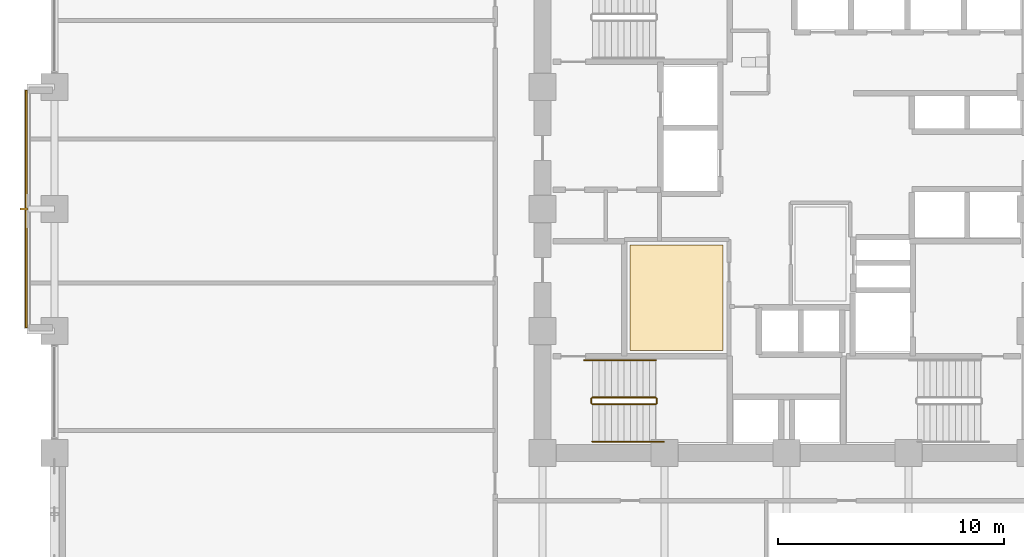
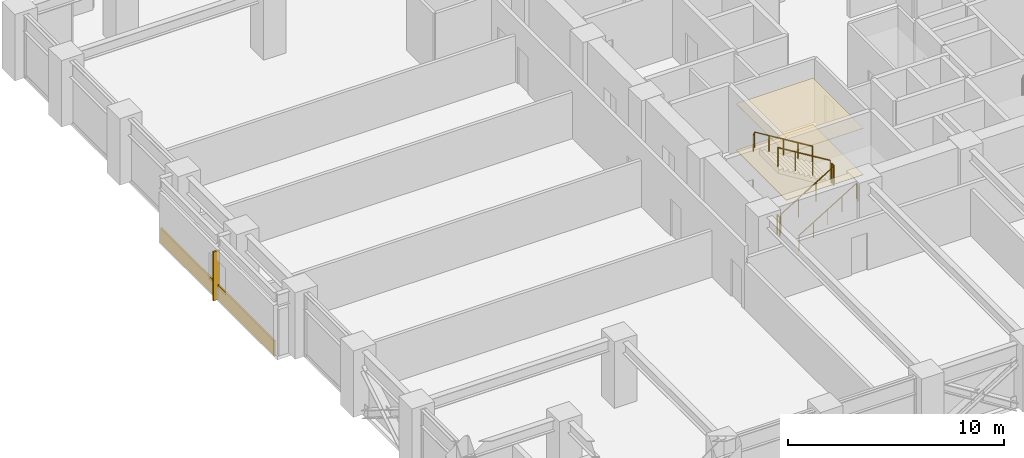
# One storey, part 24 of 27: 6 railings, 3 coverings, 1 shading device.
"""IFC4 building model written with IfcOpenShell, lengths in metres."""

from ifc_helpers import new_model, si_unit, direction, frame, origin, origin_2d, place, context, subcontext, project, spatial, polyline, rectangle, circle, outline, extrude, material, layer, layer_set, type_object, element, save


model = new_model("IFC4")

# Units and contexts
model_context = context("Model", 3, precision=1e-05, world=origin(), true_north=direction((0.0, 1.0)))
body_context = subcontext(model_context, "Body", "Model", "MODEL_VIEW")
ifc_project = project(units=[si_unit("LENGTHUNIT", "METRE"), si_unit("AREAUNIT", "SQUARE_METRE"), si_unit("VOLUMEUNIT", "CUBIC_METRE"), si_unit("PLANEANGLEUNIT", "RADIAN"), si_unit("MASSUNIT", "GRAM", prefix="KILO")], contexts=[model_context])

# Site, building, storey
site_placement = place(None, origin())
site = spatial("IfcSite", under=ifc_project, at=site_placement, CompositionType="ELEMENT")
building_placement = place(site_placement, origin())
building = spatial("IfcBuilding", under=site, at=building_placement, Name="Surkhivell Harbour Commons", CompositionType="ELEMENT")
storey_placement = place(building_placement, frame((0.0, 0.0, 56.25)))
storey = spatial("IfcBuildingStorey", under=building, at=storey_placement, Name="L14", CompositionType="ELEMENT", Elevation=56.25)

# Coverings
ifc_material_1 = material(Name="Moisture-resistant gypsum acoustic ceiling board", Category="other")
ifc_layer_1 = layer(ifc_material_1, 0.030029296875)
ifc_layer_set_1 = layer_set([ifc_layer_1], Name="Moisture-resistant gypsum acoustic ceiling board")
covering_type_1 = type_object("IfcCoveringType", Name="COV-CEIL-GYP", PredefinedType="CEILING", material=ifc_layer_set_1)
covering_1_placement = place(storey_placement, frame((0.0, 0.0, 2.613037109375)))
element("IfcCovering", 1, at=covering_1_placement, inside=storey, type_object=covering_type_1, Name="L14 Suspended Acoustic Ceiling 2", PredefinedType="CEILING", context=body_context, shape_type="SweptSolid", body=[
    extrude(outline(polyline([(-6.929931640625, -6.260009765625), (-2.820068359375, -6.260009765625), (-2.820068359375, -1.60009765625), (-6.929931640625, -1.60009765625), (-6.929931640625, -6.260009765625)])), origin(), (0.0, 0.0, 1.0), 0.030029296875),
])
ifc_material_2 = material(Name="Saffron-gold enamelled aluminium cassette panel", Category="aluminium")
ifc_layer_2 = layer(ifc_material_2, 0.070068359375)
ifc_layer_set_2 = layer_set([ifc_layer_2], Name="Saffron-gold enamelled aluminium cassette panel")
covering_type_2 = type_object("IfcCoveringType", Name="COV-CLAD-SAF", PredefinedType="CLADDING", material=ifc_layer_set_2)
covering_2_placement = place(storey_placement, frame((-33.639892578125, 0.0, 0.0), z_axis=(0.0, 0.0, 1.0), x_axis=(1.0, 0.0, 0.0)))
element("IfcCovering", 2, at=covering_2_placement, inside=storey, type_object=covering_type_2, Name="L14 Coloured-Panel Box Spandrel Cassette 02", PredefinedType="CLADDING", context=body_context, shape_type="SweptSolid", body=[
    extrude(rectangle(XDim=0.080078125, YDim=10.5, at=origin_2d()), origin(), (0.0, 0.0, 1.0), 0.840087890625),
])
ifc_material_3 = material(Name="Engineered acoustic oak timber flooring", Category="wood")
ifc_layer_3 = layer(ifc_material_3, 0.02001953125)
ifc_layer_set_3 = layer_set([ifc_layer_3], Name="Engineered acoustic oak timber flooring")
covering_type_3 = type_object("IfcCoveringType", Name="COV-FLR-TIM", PredefinedType="FLOORING", material=ifc_layer_set_3)
covering_3_placement = place(storey_placement, origin())
element("IfcCovering", 3, at=covering_3_placement, inside=storey, type_object=covering_type_3, Name="L14 Interior Floor Finish 2", PredefinedType="FLOORING", context=body_context, shape_type="SweptSolid", body=[
    extrude(outline(polyline([(-6.929931640625, -6.260009765625), (-2.820068359375, -6.260009765625), (-2.820068359375, -1.60009765625), (-6.929931640625, -1.60009765625), (-6.929931640625, -6.260009765625)])), origin(), (0.0, 0.0, 1.0), 0.02001953125),
])

# Railings
ifc_material_4 = material(Name="Galvanised and painted steel S355 guard rail", Category="steel")
railing_type_1 = type_object("IfcRailingType", Name="RAL-ST-GRD1100", PredefinedType="GUARDRAIL", material=ifc_material_4)
railing_1_placement = place(storey_placement, frame((-8.590087890625, -8.639892578125, 0.17041015625)))
element("IfcRailing", 4, at=railing_1_placement, inside=storey, type_object=railing_type_1, Name="L14 ST3 stair guard 1", PredefinedType="GUARDRAIL", context=body_context, shape_type="SweptSolid", body=[
    extrude(circle(Radius=0.02392578125, at=origin_2d()), frame((0.0, 0.0, 1.076171875), z_axis=(0.854169791009, 0.0, 0.51999420009), x_axis=(0.0, 1.0, 0.0)), (0.0, 0.0, 1.0), 3.278076171875),
    extrude(circle(Radius=0.02099609375, at=origin_2d()), origin(), (0.0, 0.0, 1.0), 1.052001953125),
    extrude(circle(Radius=0.02099609375, at=origin_2d()), frame((0.933349609375, 0.0, 0.568115234375)), (0.0, 0.0, 1.0), 1.052001953125),
    extrude(circle(Radius=0.02099609375, at=origin_2d()), frame((1.86669921875, 0.0, 1.136474609375)), (0.0, 0.0, 1.0), 1.052001953125),
    extrude(circle(Radius=0.02099609375, at=origin_2d()), frame((2.800048828125, 0.0, 1.70458984375)), (0.0, 0.0, 1.0), 1.052001953125),
])
railing_2_placement = place(storey_placement, frame((-5.739990234375, -8.590087890625, 1.875)))
element("IfcRailing", 5, at=railing_2_placement, inside=storey, type_object=railing_type_1, Name="L14 ST3 stair guard 2", PredefinedType="GUARDRAIL", context=body_context, shape_type="SweptSolid", body=[
    extrude(circle(Radius=0.02392578125, at=origin_2d()), frame((0.0, 0.0, 1.076171875), z_axis=(0.0, 1.0, 0.0), x_axis=(-1.0, 0.0, 0.0)), (0.0, 0.0, 1.0), 0.2001953125),
    extrude(circle(Radius=0.02099609375, at=origin_2d()), origin(), (0.0, 0.0, 1.0), 1.052001953125),
    extrude(circle(Radius=0.02099609375, at=origin_2d()), frame((0.0, 0.2001953125, 0.0)), (0.0, 0.0, 1.0), 1.052001953125),
])
railing_3_placement = place(storey_placement, frame((-5.7900390625, -8.340087890625, 2.04541015625)))
element("IfcRailing", 6, at=railing_3_placement, inside=storey, type_object=railing_type_1, Name="L14 ST3 stair guard 3", PredefinedType="GUARDRAIL", context=body_context, shape_type="SweptSolid", body=[
    extrude(circle(Radius=0.02392578125, at=origin_2d()), frame((0.0, 0.0, 1.076171875), z_axis=(-0.854169791009, 0.0, 0.51999420009), x_axis=(0.0, -1.0, 0.0)), (0.0, 0.0, 1.0), 3.278076171875),
    extrude(circle(Radius=0.02099609375, at=origin_2d()), origin(), (0.0, 0.0, 1.0), 1.052001953125),
    extrude(circle(Radius=0.02099609375, at=origin_2d()), frame((-0.933349609375, 0.0, 0.568115234375)), (0.0, 0.0, 1.0), 1.052001953125),
    extrude(circle(Radius=0.02099609375, at=origin_2d()), frame((-1.86669921875, 0.0, 1.136474609375)), (0.0, 0.0, 1.0), 1.052001953125),
    extrude(circle(Radius=0.02099609375, at=origin_2d()), frame((-2.800048828125, 0.0, 1.70458984375)), (0.0, 0.0, 1.0), 1.052001953125),
])
railing_4_placement = place(storey_placement, frame((-8.639892578125, -8.590087890625, 0.0)))
element("IfcRailing", 7, at=railing_4_placement, inside=storey, type_object=railing_type_1, Name="L14 ST3 stair guard 4", PredefinedType="GUARDRAIL", context=body_context, shape_type="SweptSolid", body=[
    extrude(circle(Radius=0.02392578125, at=origin_2d()), frame((0.0, 0.0, 1.076171875), z_axis=(0.0, 1.0, 0.0), x_axis=(-1.0, 0.0, 0.0)), (0.0, 0.0, 1.0), 0.2001953125),
    extrude(circle(Radius=0.02099609375, at=origin_2d()), origin(), (0.0, 0.0, 1.0), 1.052001953125),
    extrude(circle(Radius=0.02099609375, at=origin_2d()), frame((0.0, 0.2001953125, 0.0)), (0.0, 0.0, 1.0), 1.052001953125),
])
ifc_material_5 = material(Name="Brushed stainless steel S355 handrail", Category="steel")
railing_type_2 = type_object("IfcRailingType", Name="RAL-ST-HND900", PredefinedType="HANDRAIL", material=ifc_material_5)
railing_5_placement = place(storey_placement, frame((-8.590087890625, -10.2900390625, 0.17041015625)))
element("IfcRailing", 8, at=railing_5_placement, inside=storey, type_object=railing_type_2, Name="L14 ST3 stair handrail 1", PredefinedType="HANDRAIL", context=body_context, shape_type="SweptSolid", body=[
    extrude(circle(Radius=0.02392578125, at=origin_2d()), frame((0.0, 0.0, 0.8759765625), z_axis=(0.854177636135, 0.0, 0.519981313056), x_axis=(0.0, 1.0, 0.0)), (0.0, 0.0, 1.0), 3.60595703125),
    extrude(circle(Radius=0.02392578125, at=origin_2d()), frame((3.080078125, 0.0, 2.7509765625), z_axis=(0.425297416671, 0.0, -0.905053648892), x_axis=(0.0, 1.0, 0.0)), (0.0, 0.0, 1.0), 0.188232421875),
    extrude(circle(Radius=0.02099609375, at=origin_2d()), origin(), (0.0, 0.0, 1.0), 0.851806640625),
    extrude(circle(Radius=0.02099609375, at=origin_2d()), frame((0.77001953125, 0.0, 0.46875)), (0.0, 0.0, 1.0), 0.851806640625),
    extrude(circle(Radius=0.02099609375, at=origin_2d()), frame((1.5400390625, 0.0, 0.9375)), (0.0, 0.0, 1.0), 0.851806640625),
    extrude(circle(Radius=0.02099609375, at=origin_2d()), frame((2.31005859375, 0.0, 1.40625)), (0.0, 0.0, 1.0), 0.851806640625),
    extrude(circle(Radius=0.02099609375, at=origin_2d()), frame((3.080078125, 0.0, 1.875)), (0.0, 0.0, 1.0), 0.851806640625),
    extrude(circle(Radius=0.02099609375, at=origin_2d()), frame((3.16015625, 0.0, 1.70458984375)), (0.0, 0.0, 1.0), 0.851806640625),
])
railing_6_placement = place(storey_placement, frame((-5.7900390625, -6.68994140625, 2.04541015625)))
element("IfcRailing", 9, at=railing_6_placement, inside=storey, type_object=railing_type_2, Name="L14 ST3 stair handrail 2", PredefinedType="HANDRAIL", context=body_context, shape_type="SweptSolid", body=[
    extrude(circle(Radius=0.02392578125, at=origin_2d()), frame((0.0, 0.0, 0.8759765625), z_axis=(-0.854177636135, 0.0, 0.519981313056), x_axis=(0.0, -1.0, 0.0)), (0.0, 0.0, 1.0), 3.60595703125),
    extrude(circle(Radius=0.02392578125, at=origin_2d()), frame((-3.080078125, 0.0, 2.7509765625), z_axis=(-0.424234432967, 0.0, -0.905552398199), x_axis=(0.0, -1.0, 0.0)), (0.0, 0.0, 1.0), 0.188232421875),
    extrude(circle(Radius=0.02099609375, at=origin_2d()), origin(), (0.0, 0.0, 1.0), 0.851806640625),
    extrude(circle(Radius=0.02099609375, at=origin_2d()), frame((-0.77001953125, 0.0, 0.46875)), (0.0, 0.0, 1.0), 0.851806640625),
    extrude(circle(Radius=0.02099609375, at=origin_2d()), frame((-1.5400390625, 0.0, 0.9375)), (0.0, 0.0, 1.0), 0.851806640625),
    extrude(circle(Radius=0.02099609375, at=origin_2d()), frame((-2.31005859375, 0.0, 1.40625)), (0.0, 0.0, 1.0), 0.851806640625),
    extrude(circle(Radius=0.02099609375, at=origin_2d()), frame((-3.080078125, 0.0, 1.875)), (0.0, 0.0, 1.0), 0.851806640625),
    extrude(circle(Radius=0.02099609375, at=origin_2d()), frame((-3.159912109375, 0.0, 1.70458984375)), (0.0, 0.0, 1.0), 0.851806640625),
])

# Shading device
ifc_material_6 = material(Name="Anodised pale-metal aluminium solar fin", Category="aluminium")
shading_device_type = type_object("IfcShadingDeviceType", Name="SHD-FIN-VERT", PredefinedType="USERDEFINED", material=ifc_material_6)
shading_device_placement = place(storey_placement, frame((-33.739990234375, 0.0, 0.0048828125), z_axis=(0.0, 0.0, 1.0), x_axis=(1.0, 0.0, 0.0)))
element("IfcShadingDevice", 10, at=shading_device_placement, inside=storey, type_object=shading_device_type, Name="L14 Coloured-Box Solar Fin 02", ObjectType="FIN", PredefinedType="USERDEFINED", context=body_context, shape_type="SweptSolid", body=[
    extrude(rectangle(XDim=0.360107421875, YDim=0.090087890625, at=origin_2d()), origin(), (0.0, 0.0, 1.0), 2.75),
])

save(model, "model.ifc")
